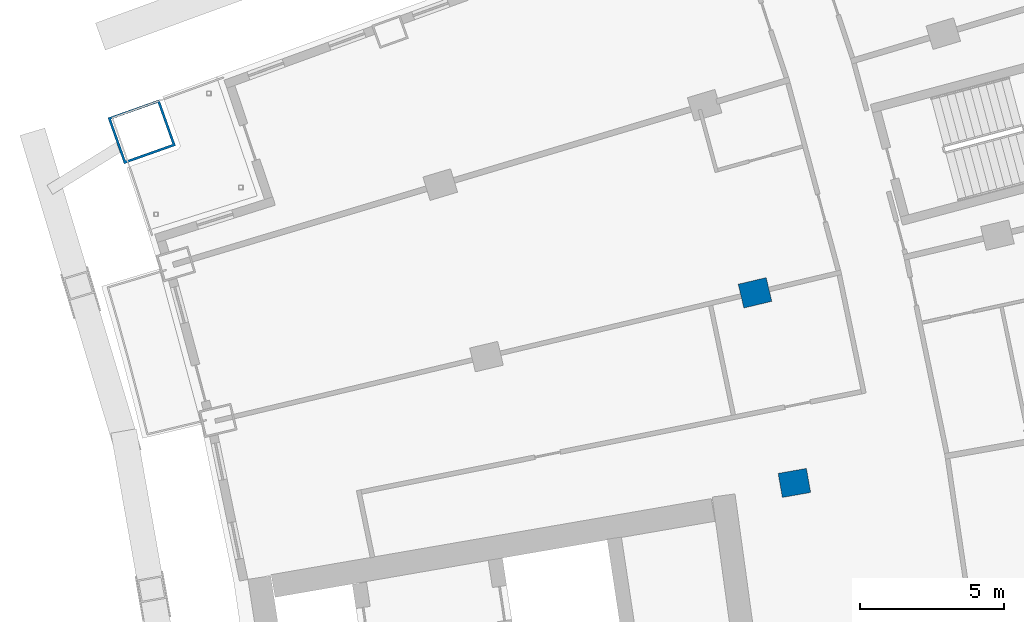
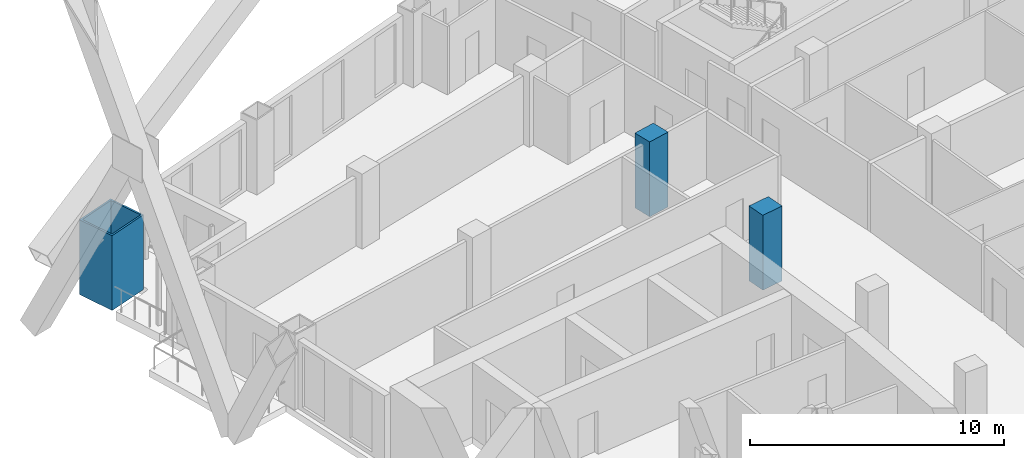
# One storey, part 8 of 26: 3 columns.
"""IFC4 building model written with IfcOpenShell, lengths in metres."""

from ifc_helpers import new_model, si_unit, direction, frame, origin, origin_2d, place, context, subcontext, project, spatial, rectangle, hollow_rectangle, extrude, material, material_profile, profile_set, type_object, element, save


model = new_model("IFC4")

# Units and contexts
model_context = context("Model", 3, precision=1e-05, world=origin(), true_north=direction((0.0, 1.0)))
body_context = subcontext(model_context, "Body", "Model", "MODEL_VIEW")
ifc_project = project(units=[si_unit("LENGTHUNIT", "METRE"), si_unit("AREAUNIT", "SQUARE_METRE"), si_unit("VOLUMEUNIT", "CUBIC_METRE"), si_unit("PLANEANGLEUNIT", "RADIAN"), si_unit("MASSUNIT", "GRAM", prefix="KILO")], contexts=[model_context])

# Site, building, storey
site_placement = place(None, origin())
site = spatial("IfcSite", under=ifc_project, at=site_placement, CompositionType="ELEMENT")
building_placement = place(site_placement, origin())
building = spatial("IfcBuilding", under=site, at=building_placement, Name="Alderwake Tower", CompositionType="ELEMENT")
storey_placement = place(building_placement, frame((0.0, 0.0, 82.39990234375)))
storey = spatial("IfcBuildingStorey", under=building, at=storey_placement, Name="L19", CompositionType="ELEMENT", Elevation=82.39990234375)

# Columns
ifc_material_1 = material(Name="Concrete C70/85", Category="concrete")
ifc_material_profile_1 = material_profile(ifc_material_1, rectangle(XDim=0.85009765625, YDim=1.0, at=origin_2d()), Name="RC 1000X850")
ifc_profile_set_1 = profile_set([ifc_material_profile_1], Name="Concrete C70/85")
column_type_1 = type_object("IfcColumnType", Name="Interior column Z2", PredefinedType="COLUMN", material=ifc_profile_set_1)
for number, where, z_axis, x_axis, name in (
    (1, (34.03125, 81.16162109375, 0.0), (0.0, 0.0, 1.0), (-0.174108800747, 0.984726421654, 0.0), "Column R10-C2"),
    (2, (32.661865234375, 87.775390625, 0.0), (0.0, 0.0, 1.0), (-0.231221547198, 0.972901123502, 0.0), "Column R11-C2"),
):
    element("IfcColumn", number, at=place(storey_placement, frame(where, z_axis=z_axis, x_axis=x_axis)), inside=storey, type_object=column_type_1, Name=name, PredefinedType="COLUMN", context=body_context, shape_type="SweptSolid", body=[
        extrude(rectangle(XDim=0.85009765625, YDim=1.0, at=origin_2d()), origin(), (0.0, 0.0, 1.0), 3.60009765625),
    ])
ifc_material_2 = material(Name="Steel ASTM A572 Grade 50 concrete filled C70/85", Category="concrete")
ifc_material_profile_2 = material_profile(ifc_material_2, hollow_rectangle(XDim=1.699951171875, YDim=1.89990234375, WallThickness=0.0849609375, at=origin_2d()), Name="BOX 1900X1700X85")
ifc_profile_set_2 = profile_set([ifc_material_profile_2], Name="Steel ASTM A572 Grade 50 concrete filled C70/85")
column_type_2 = type_object("IfcColumnType", Name="Mega column Z2", PredefinedType="COLUMN", material=ifc_profile_set_2)
column_placement = place(storey_placement, frame((11.330810546875, 93.377197265625, 0.0), z_axis=(0.0, 0.0, 1.0), x_axis=(-0.334130947791, 0.942526662609, 0.0)))
element("IfcColumn", 3, at=column_placement, inside=storey, type_object=column_type_2, Name="Column R13-C0", PredefinedType="COLUMN", context=body_context, shape_type="SweptSolid", body=[
    extrude(hollow_rectangle(XDim=1.699951171875, YDim=1.89990234375, WallThickness=0.0849609375, at=origin_2d()), origin(), (0.0, 0.0, 1.0), 3.60009765625),
])

save(model, "model.ifc")
